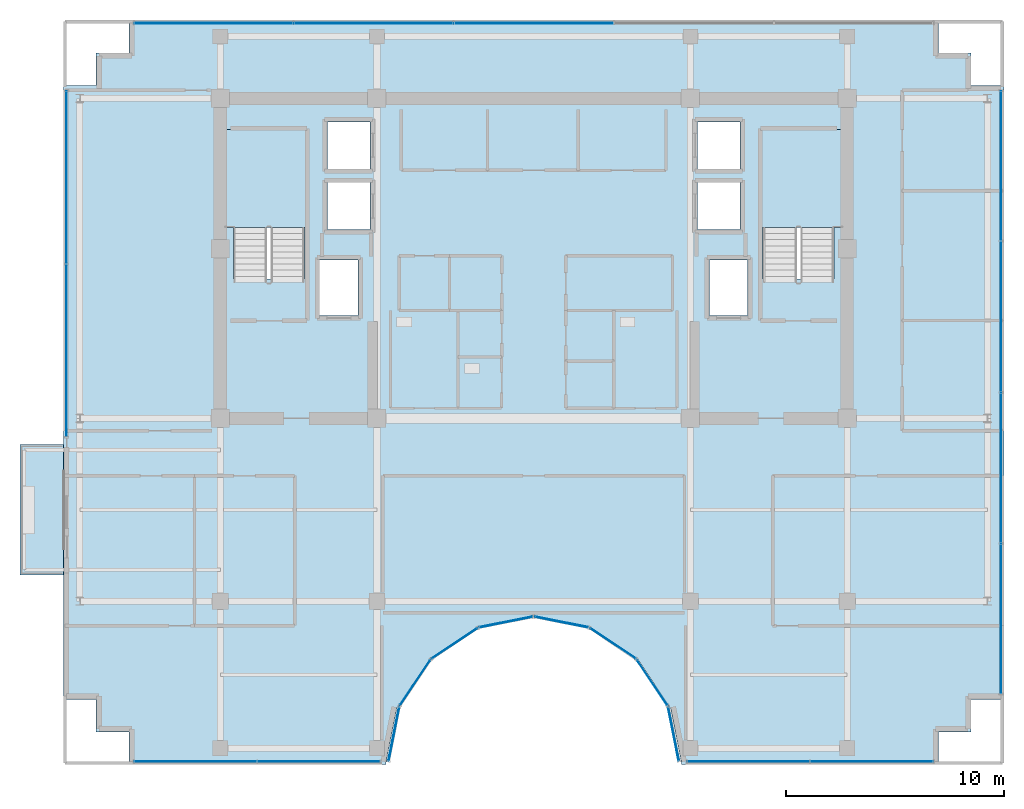
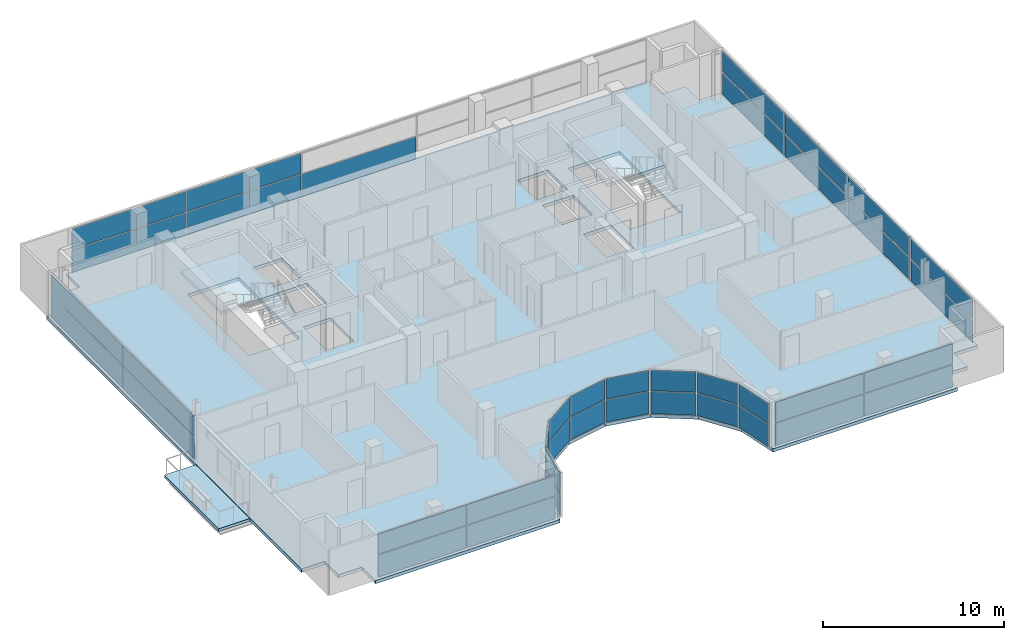
# One storey, part 21 of 28: 41 plates, 4 slabs, 15 elements without a shape of their own.
"""IFC4 building model written with IfcOpenShell, lengths in metres."""

from ifc_helpers import new_model, si_unit, direction, frame, origin, origin_2d, place, context, subcontext, project, spatial, polyline, rectangle, outline, extrude, source, transform, mapped, material, layer, layer_set, type_object, element, aggregate, save


model = new_model("IFC4")

# Units and contexts
model_context = context("Model", 3, precision=1e-05, world=origin(), true_north=direction((0.0, 1.0)))
body_context = subcontext(model_context, "Body", "Model", "MODEL_VIEW")
ifc_project = project(units=[si_unit("LENGTHUNIT", "METRE"), si_unit("AREAUNIT", "SQUARE_METRE"), si_unit("VOLUMEUNIT", "CUBIC_METRE"), si_unit("PLANEANGLEUNIT", "RADIAN"), si_unit("MASSUNIT", "GRAM", prefix="KILO")], contexts=[model_context])

# Site, building, storey
site_placement = place(None, origin())
site = spatial("IfcSite", under=ifc_project, at=site_placement, CompositionType="ELEMENT")
building_placement = place(site_placement, origin())
building = spatial("IfcBuilding", under=site, at=building_placement, Name="Zarnakvel Exchange Tower", CompositionType="ELEMENT")
storey_placement = place(building_placement, frame((0.0, 0.0, 261.699951171875)))
storey = spatial("IfcBuildingStorey", under=building, at=storey_placement, Name="L74", CompositionType="ELEMENT", Elevation=261.699951171875)

# Stair, slab
ifc_material_1 = material(Name="Concrete C40/50", Category="concrete")
stair_type = type_object("IfcStairType", Name="STR-01", PredefinedType="HALF_TURN_STAIR", material=ifc_material_1)
stair_1_placement = place(storey_placement, origin())
stair_1 = element("IfcStair", 1, at=stair_1_placement, inside=storey, type_object=stair_type, Name="L74 Protected Core Exit Stair ST-01", PredefinedType="HALF_TURN_STAIR")
ifc_layer_1 = layer(ifc_material_1, 0.199951171875)
ifc_layer_set_1 = layer_set([ifc_layer_1], Name="Concrete C40/50")
slab_type_1 = type_object("IfcSlabType", Name="LDG-01", PredefinedType="LANDING", material=ifc_layer_set_1)
slab_1_placement = place(storey_placement, frame((0.0, 0.0, 1.449951171875)))
slab_1 = element("IfcSlab", 2, at=slab_1_placement, type_object=slab_type_1, Name="ST-01 landing 1", PredefinedType="LANDING", context=body_context, shape_type="SweptSolid", body=[
    extrude(outline(polyline([(-14.18994140625, 7.570068359375), (-10.4599609375, 7.570068359375), (-10.4599609375, 12.080078125), (-14.18994140625, 12.080078125), (-14.18994140625, 7.570068359375)])), origin(), (0.0, 0.0, 1.0), 0.2001953125),
])
aggregate(stair_1, [slab_1])

stair_2_placement = place(storey_placement, origin())
stair_2 = element("IfcStair", 3, at=stair_2_placement, inside=storey, type_object=stair_type, Name="L74 Protected Core Exit Stair ST-02", PredefinedType="HALF_TURN_STAIR")
slab_2_placement = place(storey_placement, frame((0.0, 0.0, 1.449951171875)))
slab_2 = element("IfcSlab", 4, at=slab_2_placement, type_object=slab_type_1, Name="ST-02 landing 1", PredefinedType="LANDING", context=body_context, shape_type="SweptSolid", body=[
    extrude(outline(polyline([(10.4599609375, 7.570068359375), (14.18994140625, 7.570068359375), (14.18994140625, 12.080078125), (10.4599609375, 12.080078125), (10.4599609375, 7.570068359375)])), origin(), (0.0, 0.0, 1.0), 0.2001953125),
])
aggregate(stair_2, [slab_2])

# Slabs
ifc_layer_2 = layer(ifc_material_1, 0.22509765625)
ifc_layer_set_2 = layer_set([ifc_layer_2], Name="Concrete C40/50")
slab_type_2 = type_object("IfcSlabType", Name="SL-04", PredefinedType="FLOOR", material=ifc_layer_set_2)
slab_3_placement = place(storey_placement, frame((0.0, 0.0, -0.224853515625)))
element("IfcSlab", 5, at=slab_3_placement, inside=storey, type_object=slab_type_2, Name="L74 Primary Structural Floor Slab", PredefinedType="FLOOR", context=body_context, shape_type="SweptSolid", body=[
    extrude(outline(polyline([(-21.60009765625, -14.10009765625), (-20.10009765625, -14.10009765625), (-20.10009765625, -15.60009765625), (-18.60009765625, -15.60009765625), (-18.60009765625, -17.10009765625), (-6.800048828125, -17.10009765625), (-6.282470703125, -14.497802734375), (-4.808349609375, -12.291748046875), (-2.602294921875, -10.817626953125), (0.0, -10.300048828125), (2.602294921875, -10.817626953125), (4.808349609375, -12.291748046875), (6.282470703125, -14.497802734375), (6.800048828125, -17.10009765625), (18.60009765625, -17.10009765625), (18.60009765625, -15.60009765625), (20.10009765625, -15.60009765625), (20.10009765625, -14.10009765625), (21.60009765625, -14.10009765625), (21.60009765625, 14.10009765625), (20.10009765625, 14.10009765625), (20.10009765625, 15.60009765625), (18.60009765625, 15.60009765625), (18.60009765625, 17.10009765625), (-18.60009765625, 17.10009765625), (-18.60009765625, 15.60009765625), (-20.10009765625, 15.60009765625), (-20.10009765625, 14.10009765625), (-21.60009765625, 14.10009765625), (-21.60009765625, -14.10009765625)]), holes=[polyline([(-13.800048828125, 5.2099609375), (-10.5400390625, 5.2099609375), (-10.5400390625, 12.0), (-13.800048828125, 12.0), (-13.800048828125, 5.2099609375)]), polyline([(10.5400390625, 5.2099609375), (13.800048828125, 5.2099609375), (13.800048828125, 12.0), (10.5400390625, 12.0), (10.5400390625, 5.2099609375)]), polyline([(-9.830078125, 3.52001953125), (-8.070068359375, 3.52001953125), (-8.070068359375, 6.080078125), (-9.830078125, 6.080078125), (-9.830078125, 3.52001953125)]), polyline([(8.070068359375, 3.52001953125), (9.830078125, 3.52001953125), (9.830078125, 6.080078125), (8.070068359375, 6.080078125), (8.070068359375, 3.52001953125)]), polyline([(-9.47998046875, 7.469970703125), (-7.52001953125, 7.469970703125), (-7.52001953125, 9.6298828125), (-9.47998046875, 9.6298828125), (-9.47998046875, 7.469970703125)]), polyline([(-9.47998046875, 10.27001953125), (-7.52001953125, 10.27001953125), (-7.52001953125, 12.429931640625), (-9.47998046875, 12.429931640625), (-9.47998046875, 10.27001953125)]), polyline([(7.52001953125, 7.469970703125), (9.47998046875, 7.469970703125), (9.47998046875, 9.6298828125), (7.52001953125, 9.6298828125), (7.52001953125, 7.469970703125)]), polyline([(7.52001953125, 10.27001953125), (9.47998046875, 10.27001953125), (9.47998046875, 12.429931640625), (7.52001953125, 12.429931640625), (7.52001953125, 10.27001953125)])]), origin(), (0.0, 0.0, 1.0), 0.224853515625),
])
ifc_layer_3 = layer(ifc_material_1, 0.18994140625)
ifc_layer_set_3 = layer_set([ifc_layer_3], Name="Concrete C40/50")
slab_type_3 = type_object("IfcSlabType", Name="SL-08", PredefinedType="USERDEFINED", material=ifc_layer_set_3)
slab_4_placement = place(storey_placement, frame((0.0, 0.0, -0.224853515625)))
element("IfcSlab", 6, at=slab_4_placement, inside=storey, type_object=slab_type_3, Name="L74 Planted Loggia Balcony Slab BAL-L74-W", ObjectType="BALCONY", PredefinedType="USERDEFINED", context=body_context, shape_type="SweptSolid", body=[
    extrude(outline(polyline([(-23.60009765625, -8.39990234375), (-21.60009765625, -8.39990234375), (-21.60009765625, -2.39990234375), (-23.60009765625, -2.39990234375), (-23.60009765625, -8.39990234375)])), origin(), (0.0, 0.0, 1.0), 0.18994140625),
])

# Curtain wall, plates
ifc_material_2 = material(Name="Architectural Bronze Anodised Aluminium", Category="aluminium")
ifc_layer_4 = layer(ifc_material_2, 0.199951171875)
ifc_layer_set_4 = layer_set([ifc_layer_4], Name="Architectural Bronze Anodised Aluminium")
curtain_wall_type_1 = type_object("IfcCurtainWallType", Name="CW-04", PredefinedType="NOTDEFINED", material=ifc_layer_set_4)
curtain_wall_1_placement = place(storey_placement, origin())
curtain_wall_1 = element("IfcCurtainWall", 7, at=curtain_wall_1_placement, inside=storey, type_object=curtain_wall_type_1, Name="L74 Curtain Wall CW-L74-E1 (CW-04)", PredefinedType="NOTDEFINED")
ifc_material_3 = material(Name="Double Low-E Laminated Vision Glass", Category="glass")
ifc_layer_5 = layer(ifc_material_3, 0.028076171875)
ifc_layer_set_5 = layer_set([ifc_layer_5], Name="Double Low-E Laminated Vision Glass")
plate_type_1 = type_object("IfcPlateType", Name="CWP-04", PredefinedType="CURTAIN_PANEL", material=ifc_layer_set_5)
shared_shape_1 = source(origin(), body_context, "Body", "SweptSolid", [
    extrude(rectangle(XDim=6.83740234375, YDim=0.028076171875, at=origin_2d()), origin(), (0.0, 0.0, 1.0), 1.47607421875),
])
plate_1_placement = place(storey_placement, frame((21.4599609375, -10.40625, 0.074951171875), z_axis=(0.0, 0.0, 1.0), x_axis=(0.0, 1.0, 0.0)))
plate_1 = element("IfcPlate", 8, at=plate_1_placement, type_object=plate_type_1, Name="CW-04 panel 1.1", PredefinedType="CURTAIN_PANEL", context=body_context, shape_type="MappedRepresentation", body=[
    mapped(shared_shape_1, transform((0.0, 0.0, 0.0), x_axis=(1.0, 0.0, 0.0), y_axis=(0.0, 1.0, 0.0), z_axis=(0.0, 0.0, 1.0), scale=1.0)),
])
plate_2_placement = place(storey_placement, frame((21.4599609375, 10.40625, 0.074951171875), z_axis=(0.0, 0.0, 1.0), x_axis=(0.0, 1.0, 0.0)))
plate_2 = element("IfcPlate", 9, at=plate_2_placement, type_object=plate_type_1, Name="CW-04 panel 4.1", PredefinedType="CURTAIN_PANEL", context=body_context, shape_type="MappedRepresentation", body=[
    mapped(shared_shape_1, transform((0.0, 0.0, 0.0), x_axis=(1.0, 0.0, 0.0), y_axis=(0.0, 1.0, 0.0), z_axis=(0.0, 0.0, 1.0), scale=1.0)),
])
shared_shape_2 = source(origin(), body_context, "Body", "SweptSolid", [
    extrude(rectangle(XDim=6.83740234375, YDim=0.028076171875, at=origin_2d()), origin(), (0.0, 0.0, 1.0), 1.35400390625),
])
plate_3_placement = place(storey_placement, frame((21.4599609375, -10.40625, 1.6259765625), z_axis=(0.0, 0.0, 1.0), x_axis=(0.0, 1.0, 0.0)))
plate_3 = element("IfcPlate", 10, at=plate_3_placement, type_object=plate_type_1, Name="CW-04 panel 1.2", PredefinedType="CURTAIN_PANEL", context=body_context, shape_type="MappedRepresentation", body=[
    mapped(shared_shape_2, transform((0.0, 0.0, 0.0), x_axis=(1.0, 0.0, 0.0), y_axis=(0.0, 1.0, 0.0), z_axis=(0.0, 0.0, 1.0), scale=1.0)),
])
plate_4_placement = place(storey_placement, frame((21.4599609375, 10.40625, 1.6259765625), z_axis=(0.0, 0.0, 1.0), x_axis=(0.0, 1.0, 0.0)))
plate_4 = element("IfcPlate", 11, at=plate_4_placement, type_object=plate_type_1, Name="CW-04 panel 4.2", PredefinedType="CURTAIN_PANEL", context=body_context, shape_type="MappedRepresentation", body=[
    mapped(shared_shape_2, transform((0.0, 0.0, 0.0), x_axis=(1.0, 0.0, 0.0), y_axis=(0.0, 1.0, 0.0), z_axis=(0.0, 0.0, 1.0), scale=1.0)),
])
shared_shape_3 = source(origin(), body_context, "Body", "SweptSolid", [
    extrude(rectangle(XDim=6.875, YDim=0.028076171875, at=origin_2d()), origin(), (0.0, 0.0, 1.0), 1.47607421875),
])
plate_5_placement = place(storey_placement, frame((21.4599609375, -3.47509765625, 0.074951171875), z_axis=(0.0, 0.0, 1.0), x_axis=(0.0, 1.0, 0.0)))
plate_5 = element("IfcPlate", 12, at=plate_5_placement, type_object=plate_type_1, Name="CW-04 panel 2.1", PredefinedType="CURTAIN_PANEL", context=body_context, shape_type="MappedRepresentation", body=[
    mapped(shared_shape_3, transform((0.0, 0.0, 0.0), x_axis=(1.0, 0.0, 0.0), y_axis=(0.0, 1.0, 0.0), z_axis=(0.0, 0.0, 1.0), scale=1.0)),
])
plate_6_placement = place(storey_placement, frame((21.4599609375, 3.47509765625, 0.074951171875), z_axis=(0.0, 0.0, 1.0), x_axis=(0.0, 1.0, 0.0)))
plate_6 = element("IfcPlate", 13, at=plate_6_placement, type_object=plate_type_1, Name="CW-04 panel 3.1", PredefinedType="CURTAIN_PANEL", context=body_context, shape_type="MappedRepresentation", body=[
    mapped(shared_shape_3, transform((0.0, 0.0, 0.0), x_axis=(1.0, 0.0, 0.0), y_axis=(0.0, 1.0, 0.0), z_axis=(0.0, 0.0, 1.0), scale=1.0)),
])
shared_shape_4 = source(origin(), body_context, "Body", "SweptSolid", [
    extrude(rectangle(XDim=6.875, YDim=0.028076171875, at=origin_2d()), origin(), (0.0, 0.0, 1.0), 1.35400390625),
])
plate_7_placement = place(storey_placement, frame((21.4599609375, -3.47509765625, 1.6259765625), z_axis=(0.0, 0.0, 1.0), x_axis=(0.0, 1.0, 0.0)))
plate_7 = element("IfcPlate", 14, at=plate_7_placement, type_object=plate_type_1, Name="CW-04 panel 2.2", PredefinedType="CURTAIN_PANEL", context=body_context, shape_type="MappedRepresentation", body=[
    mapped(shared_shape_4, transform((0.0, 0.0, 0.0), x_axis=(1.0, 0.0, 0.0), y_axis=(0.0, 1.0, 0.0), z_axis=(0.0, 0.0, 1.0), scale=1.0)),
])
plate_8_placement = place(storey_placement, frame((21.4599609375, 3.47509765625, 1.6259765625), z_axis=(0.0, 0.0, 1.0), x_axis=(0.0, 1.0, 0.0)))
plate_8 = element("IfcPlate", 15, at=plate_8_placement, type_object=plate_type_1, Name="CW-04 panel 3.2", PredefinedType="CURTAIN_PANEL", context=body_context, shape_type="MappedRepresentation", body=[
    mapped(shared_shape_4, transform((0.0, 0.0, 0.0), x_axis=(1.0, 0.0, 0.0), y_axis=(0.0, 1.0, 0.0), z_axis=(0.0, 0.0, 1.0), scale=1.0)),
])
aggregate(curtain_wall_1, [plate_1, plate_3, plate_5, plate_7, plate_6, plate_8, plate_2, plate_4])

curtain_wall_2_placement = place(storey_placement, origin())
curtain_wall_2 = element("IfcCurtainWall", 16, at=curtain_wall_2_placement, inside=storey, type_object=curtain_wall_type_1, Name="L74 Curtain Wall CW-L74-WN (CW-04)", PredefinedType="NOTDEFINED")
shared_shape_5 = source(origin(), body_context, "Body", "SweptSolid", [
    extrude(rectangle(XDim=7.887451171875, YDim=0.028076171875, at=origin_2d()), origin(), (0.0, 0.0, 1.0), 1.47607421875),
])
plate_9_placement = place(storey_placement, frame((-21.4599609375, 1.918701171875, 0.074951171875), z_axis=(0.0, 0.0, 1.0), x_axis=(0.0, 1.0, 0.0)))
plate_9 = element("IfcPlate", 17, at=plate_9_placement, type_object=plate_type_1, Name="CW-04 panel 1.1", PredefinedType="CURTAIN_PANEL", context=body_context, shape_type="MappedRepresentation", body=[
    mapped(shared_shape_5, transform((0.0, 0.0, 0.0), x_axis=(1.0, 0.0, 0.0), y_axis=(0.0, 1.0, 0.0), z_axis=(0.0, 0.0, 1.0), scale=1.0)),
])
plate_10_placement = place(storey_placement, frame((-21.4599609375, 9.88134765625, 0.074951171875), z_axis=(0.0, 0.0, 1.0), x_axis=(0.0, 1.0, 0.0)))
plate_10 = element("IfcPlate", 18, at=plate_10_placement, type_object=plate_type_1, Name="CW-04 panel 2.1", PredefinedType="CURTAIN_PANEL", context=body_context, shape_type="MappedRepresentation", body=[
    mapped(shared_shape_5, transform((0.0, 0.0, 0.0), x_axis=(1.0, 0.0, 0.0), y_axis=(0.0, 1.0, 0.0), z_axis=(0.0, 0.0, 1.0), scale=1.0)),
])
shared_shape_6 = source(origin(), body_context, "Body", "SweptSolid", [
    extrude(rectangle(XDim=7.887451171875, YDim=0.028076171875, at=origin_2d()), origin(), (0.0, 0.0, 1.0), 1.35400390625),
])
plate_11_placement = place(storey_placement, frame((-21.4599609375, 1.918701171875, 1.6259765625), z_axis=(0.0, 0.0, 1.0), x_axis=(0.0, 1.0, 0.0)))
plate_11 = element("IfcPlate", 19, at=plate_11_placement, type_object=plate_type_1, Name="CW-04 panel 1.2", PredefinedType="CURTAIN_PANEL", context=body_context, shape_type="MappedRepresentation", body=[
    mapped(shared_shape_6, transform((0.0, 0.0, 0.0), x_axis=(1.0, 0.0, 0.0), y_axis=(0.0, 1.0, 0.0), z_axis=(0.0, 0.0, 1.0), scale=1.0)),
])
plate_12_placement = place(storey_placement, frame((-21.4599609375, 9.88134765625, 1.6259765625), z_axis=(0.0, 0.0, 1.0), x_axis=(0.0, 1.0, 0.0)))
plate_12 = element("IfcPlate", 20, at=plate_12_placement, type_object=plate_type_1, Name="CW-04 panel 2.2", PredefinedType="CURTAIN_PANEL", context=body_context, shape_type="MappedRepresentation", body=[
    mapped(shared_shape_6, transform((0.0, 0.0, 0.0), x_axis=(1.0, 0.0, 0.0), y_axis=(0.0, 1.0, 0.0), z_axis=(0.0, 0.0, 1.0), scale=1.0)),
])
aggregate(curtain_wall_2, [plate_9, plate_11, plate_10, plate_12])

# Curtain wall, plate
ifc_layer_6 = layer(ifc_material_2, 0.159912109375)
ifc_layer_set_6 = layer_set([ifc_layer_6], Name="Architectural Bronze Anodised Aluminium")
curtain_wall_type_2 = type_object("IfcCurtainWallType", Name="CW-06", PredefinedType="NOTDEFINED", material=ifc_layer_set_6)
curtain_wall_3_placement = place(storey_placement, origin())
curtain_wall_3 = element("IfcCurtainWall", 21, at=curtain_wall_3_placement, inside=storey, type_object=curtain_wall_type_2, Name="L74 Curtain Wall CW-L74-NC1 (CW-06)", PredefinedType="NOTDEFINED")
ifc_layer_7 = layer(ifc_material_3, 0.033935546875)
ifc_layer_set_7 = layer_set([ifc_layer_7], Name="Double Low-E Laminated Vision Glass")
plate_type_2 = type_object("IfcPlateType", Name="CWP-06", PredefinedType="CURTAIN_PANEL", material=ifc_layer_set_7)
shared_shape_7 = source(origin(), body_context, "Body", "SweptSolid", [
    extrude(rectangle(XDim=2.476318359375, YDim=0.033935546875, at=origin_2d()), origin(), (0.0, 0.0, 1.0), 1.4912109375),
])
plate_13_placement = place(storey_placement, frame((-6.42578125, -15.701904296875, 0.06494140625), z_axis=(0.0, 0.0, 1.0), x_axis=(0.195090448398, 0.980785255264, 0.0)))
plate_13 = element("IfcPlate", 22, at=plate_13_placement, type_object=plate_type_2, Name="CW-06 panel 1.1", PredefinedType="CURTAIN_PANEL", context=body_context, shape_type="MappedRepresentation", body=[
    mapped(shared_shape_7, transform((0.0, 0.0, 0.0), x_axis=(1.0, 0.0, 0.0), y_axis=(0.0, 1.0, 0.0), z_axis=(0.0, 0.0, 1.0), scale=1.0)),
])

curtain_wall_4_placement = place(storey_placement, origin())
curtain_wall_4 = element("IfcCurtainWall", 23, at=curtain_wall_4_placement, inside=storey, type_object=curtain_wall_type_2, Name="L74 Curtain Wall CW-L74-NC2 (CW-06)", PredefinedType="NOTDEFINED")
plate_14_placement = place(storey_placement, frame((-5.447509765625, -13.340087890625, 0.06494140625), z_axis=(0.0, 0.0, 1.0), x_axis=(0.555570233339, 0.831469612089, 0.0)))
plate_14 = element("IfcPlate", 24, at=plate_14_placement, type_object=plate_type_2, Name="CW-06 panel 1.1", PredefinedType="CURTAIN_PANEL", context=body_context, shape_type="MappedRepresentation", body=[
    mapped(shared_shape_7, transform((0.0, 0.0, 0.0), x_axis=(1.0, 0.0, 0.0), y_axis=(0.0, 1.0, 0.0), z_axis=(0.0, 0.0, 1.0), scale=1.0)),
])

curtain_wall_5_placement = place(storey_placement, origin())
curtain_wall_5 = element("IfcCurtainWall", 25, at=curtain_wall_5_placement, inside=storey, type_object=curtain_wall_type_2, Name="L74 Curtain Wall CW-L74-NC3 (CW-06)", PredefinedType="NOTDEFINED")
plate_15_placement = place(storey_placement, frame((-3.639892578125, -11.532470703125, 0.06494140625), z_axis=(0.0, 0.0, 1.0), x_axis=(0.831469612089, 0.555570233339, 0.0)))
plate_15 = element("IfcPlate", 26, at=plate_15_placement, type_object=plate_type_2, Name="CW-06 panel 1.1", PredefinedType="CURTAIN_PANEL", context=body_context, shape_type="MappedRepresentation", body=[
    mapped(shared_shape_7, transform((0.0, 0.0, 0.0), x_axis=(1.0, 0.0, 0.0), y_axis=(0.0, 1.0, 0.0), z_axis=(0.0, 0.0, 1.0), scale=1.0)),
])

curtain_wall_6_placement = place(storey_placement, origin())
curtain_wall_6 = element("IfcCurtainWall", 27, at=curtain_wall_6_placement, inside=storey, type_object=curtain_wall_type_2, Name="L74 Curtain Wall CW-L74-NC4 (CW-06)", PredefinedType="NOTDEFINED")
plate_16_placement = place(storey_placement, frame((-1.278076171875, -10.55419921875, 0.06494140625), z_axis=(0.0, 0.0, 1.0), x_axis=(0.980785255264, 0.195090448398, 0.0)))
plate_16 = element("IfcPlate", 28, at=plate_16_placement, type_object=plate_type_2, Name="CW-06 panel 1.1", PredefinedType="CURTAIN_PANEL", context=body_context, shape_type="MappedRepresentation", body=[
    mapped(shared_shape_7, transform((0.0, 0.0, 0.0), x_axis=(1.0, 0.0, 0.0), y_axis=(0.0, 1.0, 0.0), z_axis=(0.0, 0.0, 1.0), scale=1.0)),
])

curtain_wall_7_placement = place(storey_placement, origin())
curtain_wall_7 = element("IfcCurtainWall", 29, at=curtain_wall_7_placement, inside=storey, type_object=curtain_wall_type_2, Name="L74 Curtain Wall CW-L74-NC5 (CW-06)", PredefinedType="NOTDEFINED")
plate_17_placement = place(storey_placement, frame((1.278076171875, -10.55419921875, 0.06494140625), z_axis=(0.0, 0.0, 1.0), x_axis=(0.980785255264, -0.195090448398, 0.0)))
plate_17 = element("IfcPlate", 30, at=plate_17_placement, type_object=plate_type_2, Name="CW-06 panel 1.1", PredefinedType="CURTAIN_PANEL", context=body_context, shape_type="MappedRepresentation", body=[
    mapped(shared_shape_7, transform((0.0, 0.0, 0.0), x_axis=(1.0, 0.0, 0.0), y_axis=(0.0, 1.0, 0.0), z_axis=(0.0, 0.0, 1.0), scale=1.0)),
])

curtain_wall_8_placement = place(storey_placement, origin())
curtain_wall_8 = element("IfcCurtainWall", 31, at=curtain_wall_8_placement, inside=storey, type_object=curtain_wall_type_2, Name="L74 Curtain Wall CW-L74-NC6 (CW-06)", PredefinedType="NOTDEFINED")
plate_18_placement = place(storey_placement, frame((3.639892578125, -11.532470703125, 0.06494140625), z_axis=(0.0, 0.0, 1.0), x_axis=(0.831469612089, -0.555570233339, 0.0)))
plate_18 = element("IfcPlate", 32, at=plate_18_placement, type_object=plate_type_2, Name="CW-06 panel 1.1", PredefinedType="CURTAIN_PANEL", context=body_context, shape_type="MappedRepresentation", body=[
    mapped(shared_shape_7, transform((0.0, 0.0, 0.0), x_axis=(1.0, 0.0, 0.0), y_axis=(0.0, 1.0, 0.0), z_axis=(0.0, 0.0, 1.0), scale=1.0)),
])

curtain_wall_9_placement = place(storey_placement, origin())
curtain_wall_9 = element("IfcCurtainWall", 33, at=curtain_wall_9_placement, inside=storey, type_object=curtain_wall_type_2, Name="L74 Curtain Wall CW-L74-NC7 (CW-06)", PredefinedType="NOTDEFINED")
plate_19_placement = place(storey_placement, frame((5.447509765625, -13.340087890625, 0.06494140625), z_axis=(0.0, 0.0, 1.0), x_axis=(0.555570233339, -0.831469612089, 0.0)))
plate_19 = element("IfcPlate", 34, at=plate_19_placement, type_object=plate_type_2, Name="CW-06 panel 1.1", PredefinedType="CURTAIN_PANEL", context=body_context, shape_type="MappedRepresentation", body=[
    mapped(shared_shape_7, transform((0.0, 0.0, 0.0), x_axis=(1.0, 0.0, 0.0), y_axis=(0.0, 1.0, 0.0), z_axis=(0.0, 0.0, 1.0), scale=1.0)),
])

curtain_wall_10_placement = place(storey_placement, origin())
curtain_wall_10 = element("IfcCurtainWall", 35, at=curtain_wall_10_placement, inside=storey, type_object=curtain_wall_type_2, Name="L74 Curtain Wall CW-L74-NC8 (CW-06)", PredefinedType="NOTDEFINED")
plate_20_placement = place(storey_placement, frame((6.42578125, -15.701904296875, 0.06494140625), z_axis=(0.0, 0.0, 1.0), x_axis=(0.195090448398, -0.980785255264, 0.0)))
plate_20 = element("IfcPlate", 36, at=plate_20_placement, type_object=plate_type_2, Name="CW-06 panel 1.1", PredefinedType="CURTAIN_PANEL", context=body_context, shape_type="MappedRepresentation", body=[
    mapped(shared_shape_7, transform((0.0, 0.0, 0.0), x_axis=(1.0, 0.0, 0.0), y_axis=(0.0, 1.0, 0.0), z_axis=(0.0, 0.0, 1.0), scale=1.0)),
])

# Plate
shared_shape_8 = source(origin(), body_context, "Body", "SweptSolid", [
    extrude(rectangle(XDim=2.476318359375, YDim=0.033935546875, at=origin_2d()), origin(), (0.0, 0.0, 1.0), 1.368896484375),
])
plate_21_placement = place(storey_placement, frame((-6.42578125, -15.701904296875, 1.62109375), z_axis=(0.0, 0.0, 1.0), x_axis=(0.195090448398, 0.980785255264, 0.0)))
plate_21 = element("IfcPlate", 37, at=plate_21_placement, type_object=plate_type_2, Name="CW-06 panel 1.2", PredefinedType="CURTAIN_PANEL", context=body_context, shape_type="MappedRepresentation", body=[
    mapped(shared_shape_8, transform((0.0, 0.0, 0.0), x_axis=(1.0, 0.0, 0.0), y_axis=(0.0, 1.0, 0.0), z_axis=(0.0, 0.0, 1.0), scale=1.0)),
])

aggregate(curtain_wall_3, [plate_13, plate_21])

plate_22_placement = place(storey_placement, frame((-5.447509765625, -13.340087890625, 1.62109375), z_axis=(0.0, 0.0, 1.0), x_axis=(0.555570233339, 0.831469612089, 0.0)))
plate_22 = element("IfcPlate", 38, at=plate_22_placement, type_object=plate_type_2, Name="CW-06 panel 1.2", PredefinedType="CURTAIN_PANEL", context=body_context, shape_type="MappedRepresentation", body=[
    mapped(shared_shape_8, transform((0.0, 0.0, 0.0), x_axis=(1.0, 0.0, 0.0), y_axis=(0.0, 1.0, 0.0), z_axis=(0.0, 0.0, 1.0), scale=1.0)),
])

aggregate(curtain_wall_4, [plate_14, plate_22])

plate_23_placement = place(storey_placement, frame((-3.639892578125, -11.532470703125, 1.62109375), z_axis=(0.0, 0.0, 1.0), x_axis=(0.831469612089, 0.555570233339, 0.0)))
plate_23 = element("IfcPlate", 39, at=plate_23_placement, type_object=plate_type_2, Name="CW-06 panel 1.2", PredefinedType="CURTAIN_PANEL", context=body_context, shape_type="MappedRepresentation", body=[
    mapped(shared_shape_8, transform((0.0, 0.0, 0.0), x_axis=(1.0, 0.0, 0.0), y_axis=(0.0, 1.0, 0.0), z_axis=(0.0, 0.0, 1.0), scale=1.0)),
])

aggregate(curtain_wall_5, [plate_15, plate_23])

plate_24_placement = place(storey_placement, frame((-1.278076171875, -10.55419921875, 1.62109375), z_axis=(0.0, 0.0, 1.0), x_axis=(0.980785255264, 0.195090448398, 0.0)))
plate_24 = element("IfcPlate", 40, at=plate_24_placement, type_object=plate_type_2, Name="CW-06 panel 1.2", PredefinedType="CURTAIN_PANEL", context=body_context, shape_type="MappedRepresentation", body=[
    mapped(shared_shape_8, transform((0.0, 0.0, 0.0), x_axis=(1.0, 0.0, 0.0), y_axis=(0.0, 1.0, 0.0), z_axis=(0.0, 0.0, 1.0), scale=1.0)),
])

aggregate(curtain_wall_6, [plate_16, plate_24])

plate_25_placement = place(storey_placement, frame((1.278076171875, -10.55419921875, 1.62109375), z_axis=(0.0, 0.0, 1.0), x_axis=(0.980785255264, -0.195090448398, 0.0)))
plate_25 = element("IfcPlate", 41, at=plate_25_placement, type_object=plate_type_2, Name="CW-06 panel 1.2", PredefinedType="CURTAIN_PANEL", context=body_context, shape_type="MappedRepresentation", body=[
    mapped(shared_shape_8, transform((0.0, 0.0, 0.0), x_axis=(1.0, 0.0, 0.0), y_axis=(0.0, 1.0, 0.0), z_axis=(0.0, 0.0, 1.0), scale=1.0)),
])

aggregate(curtain_wall_7, [plate_17, plate_25])

plate_26_placement = place(storey_placement, frame((3.639892578125, -11.532470703125, 1.62109375), z_axis=(0.0, 0.0, 1.0), x_axis=(0.831469612089, -0.555570233339, 0.0)))
plate_26 = element("IfcPlate", 42, at=plate_26_placement, type_object=plate_type_2, Name="CW-06 panel 1.2", PredefinedType="CURTAIN_PANEL", context=body_context, shape_type="MappedRepresentation", body=[
    mapped(shared_shape_8, transform((0.0, 0.0, 0.0), x_axis=(1.0, 0.0, 0.0), y_axis=(0.0, 1.0, 0.0), z_axis=(0.0, 0.0, 1.0), scale=1.0)),
])

aggregate(curtain_wall_8, [plate_18, plate_26])

plate_27_placement = place(storey_placement, frame((5.447509765625, -13.340087890625, 1.62109375), z_axis=(0.0, 0.0, 1.0), x_axis=(0.555570233339, -0.831469612089, 0.0)))
plate_27 = element("IfcPlate", 43, at=plate_27_placement, type_object=plate_type_2, Name="CW-06 panel 1.2", PredefinedType="CURTAIN_PANEL", context=body_context, shape_type="MappedRepresentation", body=[
    mapped(shared_shape_8, transform((0.0, 0.0, 0.0), x_axis=(1.0, 0.0, 0.0), y_axis=(0.0, 1.0, 0.0), z_axis=(0.0, 0.0, 1.0), scale=1.0)),
])

aggregate(curtain_wall_9, [plate_19, plate_27])

plate_28_placement = place(storey_placement, frame((6.42578125, -15.701904296875, 1.62109375), z_axis=(0.0, 0.0, 1.0), x_axis=(0.195090448398, -0.980785255264, 0.0)))
plate_28 = element("IfcPlate", 44, at=plate_28_placement, type_object=plate_type_2, Name="CW-06 panel 1.2", PredefinedType="CURTAIN_PANEL", context=body_context, shape_type="MappedRepresentation", body=[
    mapped(shared_shape_8, transform((0.0, 0.0, 0.0), x_axis=(1.0, 0.0, 0.0), y_axis=(0.0, 1.0, 0.0), z_axis=(0.0, 0.0, 1.0), scale=1.0)),
])

aggregate(curtain_wall_10, [plate_20, plate_28])

# Curtain wall, plates
curtain_wall_11_placement = place(storey_placement, origin())
curtain_wall_11 = element("IfcCurtainWall", 45, at=curtain_wall_11_placement, inside=storey, type_object=curtain_wall_type_2, Name="L74 Curtain Wall CW-L74-NSW (CW-06)", PredefinedType="NOTDEFINED")
shared_shape_9 = source(origin(), body_context, "Body", "SweptSolid", [
    extrude(rectangle(XDim=5.6025390625, YDim=0.033935546875, at=origin_2d()), origin(), (0.0, 0.0, 1.0), 1.4912109375),
])
plate_29_placement = place(storey_placement, frame((-15.53369140625, -16.9599609375, 0.06494140625), z_axis=(0.0, 0.0, 1.0), x_axis=(1.0, 0.0, 0.0)))
plate_29 = element("IfcPlate", 46, at=plate_29_placement, type_object=plate_type_2, Name="CW-06 panel 1.1", PredefinedType="CURTAIN_PANEL", context=body_context, shape_type="MappedRepresentation", body=[
    mapped(shared_shape_9, transform((0.0, 0.0, 0.0), x_axis=(1.0, 0.0, 0.0), y_axis=(0.0, 1.0, 0.0), z_axis=(0.0, 0.0, 1.0), scale=1.0)),
])
plate_30_placement = place(storey_placement, frame((-9.8662109375, -16.9599609375, 0.06494140625), z_axis=(0.0, 0.0, 1.0), x_axis=(1.0, 0.0, 0.0)))
plate_30 = element("IfcPlate", 47, at=plate_30_placement, type_object=plate_type_2, Name="CW-06 panel 2.1", PredefinedType="CURTAIN_PANEL", context=body_context, shape_type="MappedRepresentation", body=[
    mapped(shared_shape_9, transform((0.0, 0.0, 0.0), x_axis=(1.0, 0.0, 0.0), y_axis=(0.0, 1.0, 0.0), z_axis=(0.0, 0.0, 1.0), scale=1.0)),
])

curtain_wall_12_placement = place(storey_placement, origin())
curtain_wall_12 = element("IfcCurtainWall", 48, at=curtain_wall_12_placement, inside=storey, type_object=curtain_wall_type_2, Name="L74 Curtain Wall CW-L74-NSE (CW-06)", PredefinedType="NOTDEFINED")
plate_31_placement = place(storey_placement, frame((9.8662109375, -16.9599609375, 0.06494140625), z_axis=(0.0, 0.0, 1.0), x_axis=(1.0, 0.0, 0.0)))
plate_31 = element("IfcPlate", 49, at=plate_31_placement, type_object=plate_type_2, Name="CW-06 panel 1.1", PredefinedType="CURTAIN_PANEL", context=body_context, shape_type="MappedRepresentation", body=[
    mapped(shared_shape_9, transform((0.0, 0.0, 0.0), x_axis=(1.0, 0.0, 0.0), y_axis=(0.0, 1.0, 0.0), z_axis=(0.0, 0.0, 1.0), scale=1.0)),
])
plate_32_placement = place(storey_placement, frame((15.53369140625, -16.9599609375, 0.06494140625), z_axis=(0.0, 0.0, 1.0), x_axis=(1.0, 0.0, 0.0)))
plate_32 = element("IfcPlate", 50, at=plate_32_placement, type_object=plate_type_2, Name="CW-06 panel 2.1", PredefinedType="CURTAIN_PANEL", context=body_context, shape_type="MappedRepresentation", body=[
    mapped(shared_shape_9, transform((0.0, 0.0, 0.0), x_axis=(1.0, 0.0, 0.0), y_axis=(0.0, 1.0, 0.0), z_axis=(0.0, 0.0, 1.0), scale=1.0)),
])

# Plate
shared_shape_10 = source(origin(), body_context, "Body", "SweptSolid", [
    extrude(rectangle(XDim=5.6025390625, YDim=0.033935546875, at=origin_2d()), origin(), (0.0, 0.0, 1.0), 1.368896484375),
])
plate_33_placement = place(storey_placement, frame((-15.53369140625, -16.9599609375, 1.62109375), z_axis=(0.0, 0.0, 1.0), x_axis=(1.0, 0.0, 0.0)))
plate_33 = element("IfcPlate", 51, at=plate_33_placement, type_object=plate_type_2, Name="CW-06 panel 1.2", PredefinedType="CURTAIN_PANEL", context=body_context, shape_type="MappedRepresentation", body=[
    mapped(shared_shape_10, transform((0.0, 0.0, 0.0), x_axis=(1.0, 0.0, 0.0), y_axis=(0.0, 1.0, 0.0), z_axis=(0.0, 0.0, 1.0), scale=1.0)),
])

plate_34_placement = place(storey_placement, frame((-9.8662109375, -16.9599609375, 1.62109375), z_axis=(0.0, 0.0, 1.0), x_axis=(1.0, 0.0, 0.0)))
plate_34 = element("IfcPlate", 52, at=plate_34_placement, type_object=plate_type_2, Name="CW-06 panel 2.2", PredefinedType="CURTAIN_PANEL", context=body_context, shape_type="MappedRepresentation", body=[
    mapped(shared_shape_10, transform((0.0, 0.0, 0.0), x_axis=(1.0, 0.0, 0.0), y_axis=(0.0, 1.0, 0.0), z_axis=(0.0, 0.0, 1.0), scale=1.0)),
])

aggregate(curtain_wall_11, [plate_29, plate_33, plate_30, plate_34])

plate_35_placement = place(storey_placement, frame((9.8662109375, -16.9599609375, 1.62109375), z_axis=(0.0, 0.0, 1.0), x_axis=(1.0, 0.0, 0.0)))
plate_35 = element("IfcPlate", 53, at=plate_35_placement, type_object=plate_type_2, Name="CW-06 panel 1.2", PredefinedType="CURTAIN_PANEL", context=body_context, shape_type="MappedRepresentation", body=[
    mapped(shared_shape_10, transform((0.0, 0.0, 0.0), x_axis=(1.0, 0.0, 0.0), y_axis=(0.0, 1.0, 0.0), z_axis=(0.0, 0.0, 1.0), scale=1.0)),
])

plate_36_placement = place(storey_placement, frame((15.53369140625, -16.9599609375, 1.62109375), z_axis=(0.0, 0.0, 1.0), x_axis=(1.0, 0.0, 0.0)))
plate_36 = element("IfcPlate", 54, at=plate_36_placement, type_object=plate_type_2, Name="CW-06 panel 2.2", PredefinedType="CURTAIN_PANEL", context=body_context, shape_type="MappedRepresentation", body=[
    mapped(shared_shape_10, transform((0.0, 0.0, 0.0), x_axis=(1.0, 0.0, 0.0), y_axis=(0.0, 1.0, 0.0), z_axis=(0.0, 0.0, 1.0), scale=1.0)),
])

aggregate(curtain_wall_12, [plate_31, plate_35, plate_32, plate_36])

# Curtain wall, plates
curtain_wall_13_placement = place(storey_placement, origin())
curtain_wall_13 = element("IfcCurtainWall", 55, at=curtain_wall_13_placement, inside=storey, type_object=curtain_wall_type_2, Name="L74 Curtain Wall CW-L74-N1 (CW-06)", PredefinedType="NOTDEFINED")
shared_shape_11 = source(origin(), body_context, "Body", "SweptSolid", [
    extrude(rectangle(XDim=7.262451171875, YDim=0.033935546875, at=origin_2d()), origin(), (0.0, 0.0, 1.0), 1.4912109375),
])
plate_37_placement = place(storey_placement, frame((-14.703857421875, 16.9599609375, 0.06494140625), z_axis=(0.0, 0.0, 1.0), x_axis=(1.0, 0.0, 0.0)))
plate_37 = element("IfcPlate", 56, at=plate_37_placement, type_object=plate_type_2, Name="CW-06 panel 1.1", PredefinedType="CURTAIN_PANEL", context=body_context, shape_type="MappedRepresentation", body=[
    mapped(shared_shape_11, transform((0.0, 0.0, 0.0), x_axis=(1.0, 0.0, 0.0), y_axis=(0.0, 1.0, 0.0), z_axis=(0.0, 0.0, 1.0), scale=1.0)),
])
shared_shape_12 = source(origin(), body_context, "Body", "SweptSolid", [
    extrude(rectangle(XDim=7.262451171875, YDim=0.033935546875, at=origin_2d()), origin(), (0.0, 0.0, 1.0), 1.368896484375),
])
plate_38_placement = place(storey_placement, frame((-14.703857421875, 16.9599609375, 1.62109375), z_axis=(0.0, 0.0, 1.0), x_axis=(1.0, 0.0, 0.0)))
plate_38 = element("IfcPlate", 57, at=plate_38_placement, type_object=plate_type_2, Name="CW-06 panel 1.2", PredefinedType="CURTAIN_PANEL", context=body_context, shape_type="MappedRepresentation", body=[
    mapped(shared_shape_12, transform((0.0, 0.0, 0.0), x_axis=(1.0, 0.0, 0.0), y_axis=(0.0, 1.0, 0.0), z_axis=(0.0, 0.0, 1.0), scale=1.0)),
])
shared_shape_13 = source(origin(), body_context, "Body", "SweptSolid", [
    extrude(rectangle(XDim=7.294921875, YDim=0.033935546875, at=origin_2d()), origin(), (0.0, 0.0, 1.0), 1.4912109375),
])
plate_39_placement = place(storey_placement, frame((-7.360107421875, 16.9599609375, 0.06494140625), z_axis=(0.0, 0.0, 1.0), x_axis=(1.0, 0.0, 0.0)))
plate_39 = element("IfcPlate", 58, at=plate_39_placement, type_object=plate_type_2, Name="CW-06 panel 2.1", PredefinedType="CURTAIN_PANEL", context=body_context, shape_type="MappedRepresentation", body=[
    mapped(shared_shape_13, transform((0.0, 0.0, 0.0), x_axis=(1.0, 0.0, 0.0), y_axis=(0.0, 1.0, 0.0), z_axis=(0.0, 0.0, 1.0), scale=1.0)),
])
plate_40_placement = place(storey_placement, frame((0.0, 16.9599609375, 0.06494140625), z_axis=(0.0, 0.0, 1.0), x_axis=(1.0, 0.0, 0.0)))
plate_40 = element("IfcPlate", 59, at=plate_40_placement, type_object=plate_type_2, Name="CW-06 panel 3.1", PredefinedType="CURTAIN_PANEL", context=body_context, shape_type="MappedRepresentation", body=[
    mapped(shared_shape_13, transform((0.0, 0.0, 0.0), x_axis=(1.0, 0.0, 0.0), y_axis=(0.0, 1.0, 0.0), z_axis=(0.0, 0.0, 1.0), scale=1.0)),
])
shared_shape_14 = source(origin(), body_context, "Body", "SweptSolid", [
    extrude(rectangle(XDim=7.294921875, YDim=0.033935546875, at=origin_2d()), origin(), (0.0, 0.0, 1.0), 1.368896484375),
])
plate_41_placement = place(storey_placement, frame((-7.360107421875, 16.9599609375, 1.62109375), z_axis=(0.0, 0.0, 1.0), x_axis=(1.0, 0.0, 0.0)))
plate_41 = element("IfcPlate", 60, at=plate_41_placement, type_object=plate_type_2, Name="CW-06 panel 2.2", PredefinedType="CURTAIN_PANEL", context=body_context, shape_type="MappedRepresentation", body=[
    mapped(shared_shape_14, transform((0.0, 0.0, 0.0), x_axis=(1.0, 0.0, 0.0), y_axis=(0.0, 1.0, 0.0), z_axis=(0.0, 0.0, 1.0), scale=1.0)),
])
aggregate(curtain_wall_13, [plate_37, plate_38, plate_39, plate_41, plate_40])

save(model, "model.ifc")
